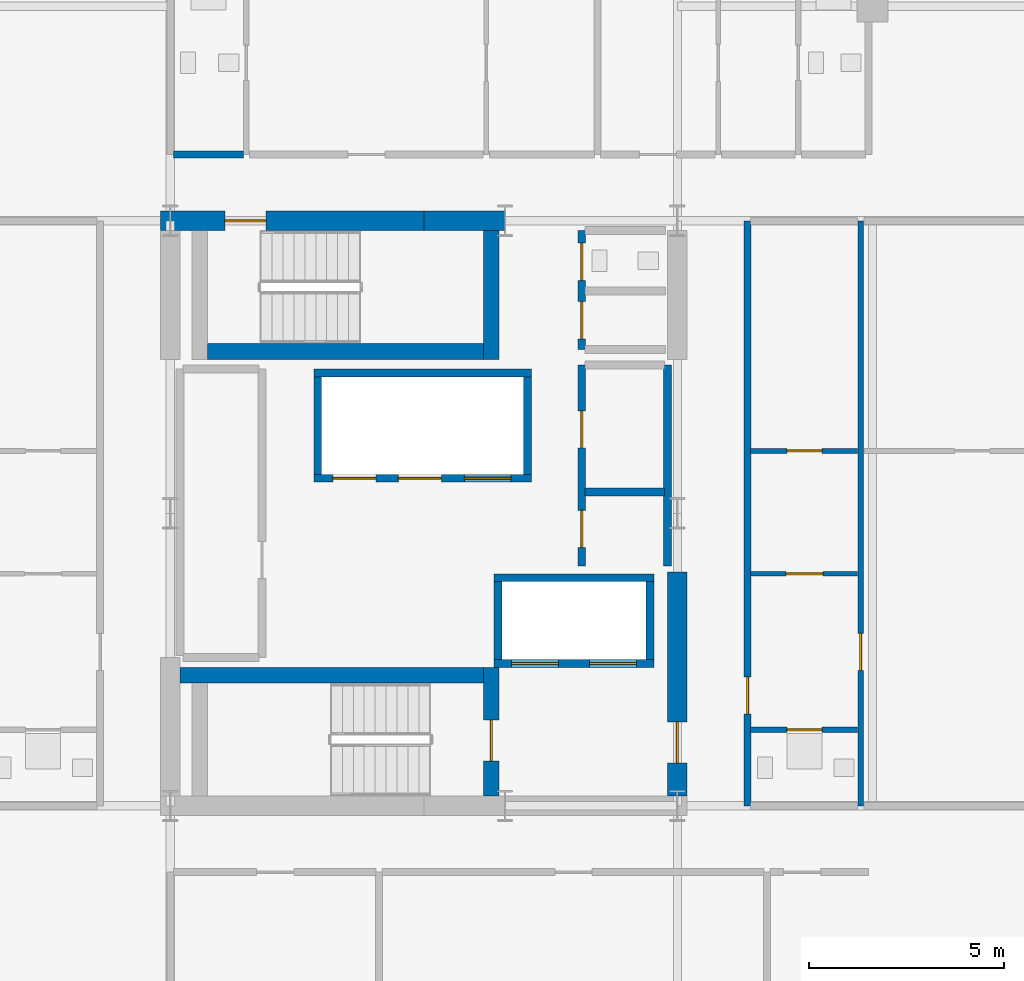
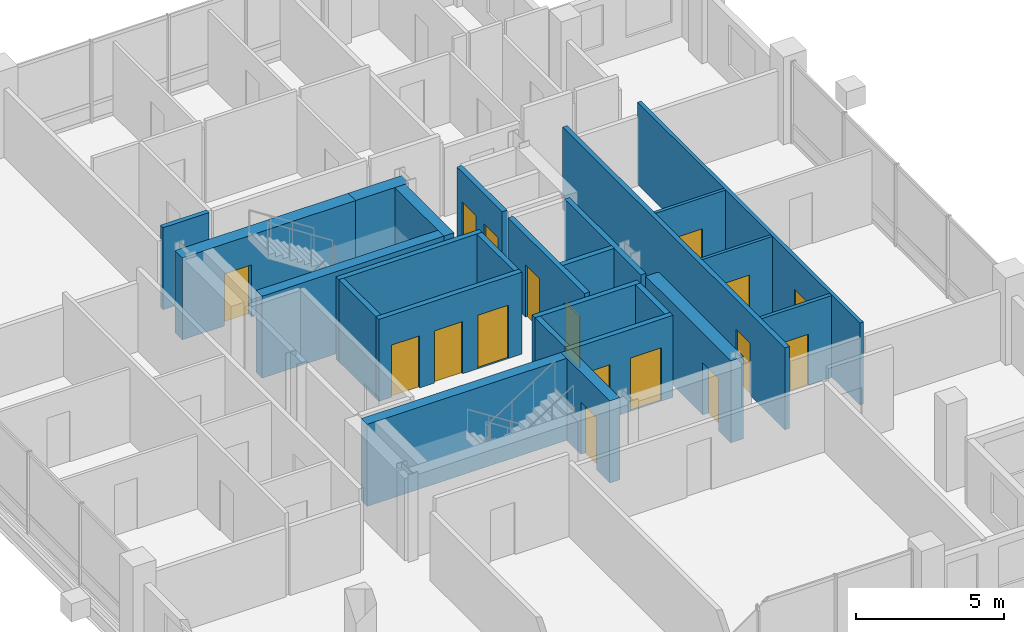
# One storey, part 17 of 21: 25 walls, 17 doors, 17 openings.
"""IFC4 building model written with IfcOpenShell, lengths in metres."""

from ifc_helpers import new_model, si_unit, direction, frame, frame_2d, origin, place, context, subcontext, project, spatial, rectangle, extrude, material, layer, layer_set, type_object, element, fill, save


model = new_model("IFC4")

# Units and contexts
model_context = context("Model", 3, precision=1e-05, world=origin(), true_north=direction((0.0, 1.0)))
body_context = subcontext(model_context, "Body", "Model", "MODEL_VIEW")
ifc_project = project(units=[si_unit("LENGTHUNIT", "METRE"), si_unit("AREAUNIT", "SQUARE_METRE"), si_unit("VOLUMEUNIT", "CUBIC_METRE"), si_unit("PLANEANGLEUNIT", "RADIAN"), si_unit("MASSUNIT", "GRAM", prefix="KILO")], contexts=[model_context])

# Site, building, storey
site_placement = place(None, origin())
site = spatial("IfcSite", under=ifc_project, at=site_placement, CompositionType="ELEMENT")
building_placement = place(site_placement, origin())
building = spatial("IfcBuilding", under=site, at=building_placement, Name="Barlavira Tower and Art Museum", CompositionType="ELEMENT")
storey_placement = place(building_placement, frame((0.0, 0.0, 254.699951171875)))
storey = spatial("IfcBuildingStorey", under=building, at=storey_placement, Name="L66", CompositionType="ELEMENT", Elevation=254.699951171875)

# Wall, opening, door
ifc_material_1 = material(Name="Gypsum acoustic stud partition", Category="gypsum")
ifc_layer_1 = layer(ifc_material_1, 0.1201171875, Name="Gypsum acoustic stud partition")
ifc_layer_set_1 = layer_set([ifc_layer_1], Name="Gypsum acoustic stud partition")
wall_type_1 = type_object("IfcWallType", Name="Apartment Internal Acoustic Partition 120", PredefinedType="PARTITIONING", material=ifc_layer_set_1)
wall_1_placement = place(storey_placement, frame((8.3798828125, -1.550048828125, 0.0), z_axis=(0.0, 0.0, 1.0), x_axis=(1.0, 0.0, 0.0)))
wall_1 = element("IfcWall", 1, at=wall_1_placement, inside=storey, type_object=wall_type_1, Name="L66 Partition Wall 34", PredefinedType="PARTITIONING", context=body_context, shape_type="SweptSolid", body=[
    extrude(rectangle(XDim=2.740234375, YDim=0.1201171875, at=frame_2d((1.3701171875, 0.0))), origin(), (0.0, 0.0, 1.0), 3.380126953125),
])
opening_1_placement = place(wall_1_placement, frame((0.905029296875, 0.0, 0.0)))
opening_1 = element("IfcOpeningElement", 2, at=opening_1_placement, cuts=wall_1, Name="Opening D-02", PredefinedType="OPENING", context=body_context, shape_type="SweptSolid", body=[
    extrude(rectangle(XDim=0.949951171875, YDim=2.10009765625, at=frame_2d((0.47509765625, 1.050048828125))), frame((0.0, 0.070068359375, 0.0), z_axis=(0.0, -1.0, 0.0), x_axis=(1.0, 0.0, 0.0)), (0.0, 0.0, 1.0), 0.14013671875),
])
ifc_material_2 = material(Name="Engineered coastal hardwood", Category="wood")
door_type_1 = type_object("IfcDoorType", Name="Living and Salon Glazed-Leaf Door 950x2100", OperationType="NOTDEFINED", PredefinedType="DOOR", material=ifc_material_2)
door_1_placement = place(opening_1_placement, origin())
door_1 = element("IfcDoor", 3, at=door_1_placement, inside=storey, type_object=door_type_1, Name="Apartment E1 Kitchen Door", OperationType="SINGLE_SWING_RIGHT", OverallHeight=2.10009765625, OverallWidth=0.949951171875, PredefinedType="DOOR", context=body_context, shape_type="SweptSolid", body=[
    extrude(rectangle(XDim=0.949951171875, YDim=2.10009765625, at=frame_2d((0.47509765625, 1.050048828125))), frame((0.0, 0.02490234375, 0.0), z_axis=(0.0, -1.0, 0.0), x_axis=(1.0, 0.0, 0.0)), (0.0, 0.0, 1.0), 0.050048828125),
])
fill(opening_1, door_1)

wall_2_placement = place(storey_placement, frame((8.3798828125, 1.60009765625, 0.0), z_axis=(0.0, 0.0, 1.0), x_axis=(1.0, 0.0, 0.0)))
wall_2 = element("IfcWall", 4, at=wall_2_placement, inside=storey, type_object=wall_type_1, Name="L66 Partition Wall 37", PredefinedType="PARTITIONING", context=body_context, shape_type="SweptSolid", body=[
    extrude(rectangle(XDim=2.740234375, YDim=0.1201171875, at=frame_2d((1.3701171875, 0.0))), origin(), (0.0, 0.0, 1.0), 3.380126953125),
])
opening_2_placement = place(wall_2_placement, frame((0.929931640625, 0.0, 0.0)))
opening_2 = element("IfcOpeningElement", 5, at=opening_2_placement, cuts=wall_2, Name="Opening D-01", PredefinedType="OPENING", context=body_context, shape_type="SweptSolid", body=[
    extrude(rectangle(XDim=0.89990234375, YDim=2.10009765625, at=frame_2d((0.449951171875, 1.050048828125))), frame((0.0, 0.070068359375, 0.0), z_axis=(0.0, -1.0, 0.0), x_axis=(1.0, 0.0, 0.0)), (0.0, 0.0, 1.0), 0.14013671875),
])
door_type_2 = type_object("IfcDoorType", Name="Internal Bedroom Timber Flush Door 900x2100", OperationType="NOTDEFINED", PredefinedType="DOOR", material=ifc_material_2)
door_2_placement = place(opening_2_placement, origin())
door_2 = element("IfcDoor", 6, at=door_2_placement, inside=storey, type_object=door_type_2, Name="Apartment E1 Walk-In Dressing Room Door", OperationType="SINGLE_SWING_LEFT", OverallHeight=2.10009765625, OverallWidth=0.89990234375, PredefinedType="DOOR", context=body_context, shape_type="SweptSolid", body=[
    extrude(rectangle(XDim=0.89990234375, YDim=2.10009765625, at=frame_2d((0.449951171875, 1.050048828125))), frame((0.0, 0.02490234375, 0.0), z_axis=(0.0, -1.0, 0.0), x_axis=(1.0, 0.0, 0.0)), (0.0, 0.0, 1.0), 0.050048828125),
])
fill(opening_2, door_2)

ifc_material_3 = material(Name="Concrete C60", Category="concrete")
ifc_layer_2 = layer(ifc_material_3, 0.5, Name="Concrete C60")
ifc_layer_set_2 = layer_set([ifc_layer_2], Name="Concrete C60")
wall_type_2 = type_object("IfcWallType", Name="Core Structural Shear Wall 500 Concrete C60", PredefinedType="SHEAR", material=ifc_layer_set_2)
wall_3_placement = place(storey_placement, frame((-6.75, 7.5, 0.0), z_axis=(0.0, 0.0, 1.0), x_axis=(1.0, 0.0, 0.0)))
wall_3 = element("IfcWall", 7, at=wall_3_placement, inside=storey, type_object=wall_type_2, Name="L66 Core Shear Wall CS-NW", PredefinedType="SHEAR", context=body_context, shape_type="SweptSolid", body=[
    extrude(rectangle(XDim=6.75, YDim=0.5, at=frame_2d((3.375, 0.0))), origin(), (0.0, 0.0, 1.0), 3.380126953125),
])
opening_3_placement = place(wall_3_placement, frame((1.64990234375, 0.0, 0.0)))
opening_3 = element("IfcOpeningElement", 8, at=opening_3_placement, cuts=wall_3, Name="Opening FD-90", PredefinedType="OPENING", context=body_context, shape_type="SweptSolid", body=[
    extrude(rectangle(XDim=1.050048828125, YDim=2.14990234375, at=frame_2d((0.52490234375, 1.074951171875))), frame((0.0, 0.260009765625, 0.0), z_axis=(0.0, -1.0, 0.0), x_axis=(1.0, 0.0, 0.0)), (0.0, 0.0, 1.0), 0.52001953125),
])
ifc_material_4 = material(Name="Brushed stainless steel", Category="steel")
door_type_3 = type_object("IfcDoorType", Name="Stair and Refuge Fire Door 1050x2150 FD90S", OperationType="NOTDEFINED", PredefinedType="DOOR", material=ifc_material_4)
door_3_placement = place(opening_3_placement, origin())
door_3 = element("IfcDoor", 9, at=door_3_placement, inside=storey, type_object=door_type_3, Name="L66 Stair ST-T2 Fire Door", OperationType="SINGLE_SWING_LEFT", OverallHeight=2.14990234375, OverallWidth=1.050048828125, PredefinedType="DOOR", context=body_context, shape_type="SweptSolid", body=[
    extrude(rectangle(XDim=1.050048828125, YDim=2.14990234375, at=frame_2d((0.52490234375, 1.074951171875))), frame((0.0, 0.02490234375, 0.0), z_axis=(0.0, -1.0, 0.0), x_axis=(1.0, 0.0, 0.0)), (0.0, 0.0, 1.0), 0.050048828125),
])
fill(opening_3, door_3)

# Wall
wall_4_placement = place(storey_placement, frame((0.0, 7.5, 0.0), z_axis=(0.0, 0.0, 1.0), x_axis=(1.0, 0.0, 0.0)))
element("IfcWall", 10, at=wall_4_placement, inside=storey, type_object=wall_type_2, Name="L66 Core Shear Wall CS-EN", PredefinedType="SHEAR", context=body_context, shape_type="SweptSolid", body=[
    extrude(rectangle(XDim=2.080078125, YDim=0.5, at=frame_2d((1.0400390625, 0.0))), origin(), (0.0, 0.0, 1.0), 3.380126953125),
])

# Wall, opening, door
wall_5_placement = place(storey_placement, frame((6.5, -7.25, 0.0), z_axis=(0.0, 0.0, 1.0), x_axis=(0.0, 1.0, 0.0)))
wall_5 = element("IfcWall", 11, at=wall_5_placement, inside=storey, type_object=wall_type_2, Name="L66 Core Shear Wall CS-E1", PredefinedType="SHEAR", context=body_context, shape_type="SweptSolid", body=[
    extrude(rectangle(XDim=5.75, YDim=0.5, at=frame_2d((2.875, 0.0))), origin(), (0.0, 0.0, 1.0), 3.380126953125),
])
opening_4_placement = place(wall_5_placement, frame((0.85009765625, 0.0, 0.0)))
opening_4 = element("IfcOpeningElement", 12, at=opening_4_placement, cuts=wall_5, Name="Opening FD-90", PredefinedType="OPENING", context=body_context, shape_type="SweptSolid", body=[
    extrude(rectangle(XDim=1.050048828125, YDim=2.14990234375, at=frame_2d((0.52490234375, 1.074951171875))), frame((0.0, 0.260009765625, 0.0), z_axis=(0.0, -1.0, 0.0), x_axis=(1.0, 0.0, 0.0)), (0.0, 0.0, 1.0), 0.52001953125),
])
door_4_placement = place(opening_4_placement, origin())
door_4 = element("IfcDoor", 13, at=door_4_placement, inside=storey, type_object=door_type_3, Name="L66 Firefighting Lobby Entry Fire Door", OperationType="SINGLE_SWING_LEFT", OverallHeight=2.14990234375, OverallWidth=1.050048828125, PredefinedType="DOOR", context=body_context, shape_type="SweptSolid", body=[
    extrude(rectangle(XDim=1.050048828125, YDim=2.14990234375, at=frame_2d((0.52490234375, 1.074951171875))), frame((0.0, 0.02490234375, 0.0), z_axis=(0.0, -1.0, 0.0), x_axis=(1.0, 0.0, 0.0)), (0.0, 0.0, 1.0), 0.050048828125),
])
fill(opening_4, door_4)

# Wall, openings, doors
ifc_material_5 = material(Name="Autoclaved aerated concrete masonry", Category="masonry")
ifc_layer_3 = layer(ifc_material_5, 0.199951171875, Name="Autoclaved aerated concrete masonry")
ifc_layer_set_3 = layer_set([ifc_layer_3], Name="Autoclaved aerated concrete masonry")
wall_type_3 = type_object("IfcWallType", Name="Fire Compartment and Shaft Wall 200", PredefinedType="SOLIDWALL", material=ifc_layer_set_3)
wall_6_placement = place(storey_placement, frame((-2.820068359375, 0.89990234375, 0.0), z_axis=(0.0, 0.0, 1.0), x_axis=(1.0, 0.0, 0.0)))
wall_6 = element("IfcWall", 14, at=wall_6_placement, inside=storey, type_object=wall_type_3, Name="L66 High-Rise & Service Lift Front Wall", PredefinedType="SOLIDWALL", context=body_context, shape_type="SweptSolid", body=[
    extrude(rectangle(XDim=5.580078125, YDim=0.199951171875, at=frame_2d((2.7900390625, 0.0))), origin(), (0.0, 0.0, 1.0), 3.380126953125),
])
opening_5_placement = place(wall_6_placement, frame((0.489990234375, 0.0, 0.0)))
opening_5 = element("IfcOpeningElement", 15, at=opening_5_placement, cuts=wall_6, Name="Opening LD-P", PredefinedType="OPENING", context=body_context, shape_type="SweptSolid", body=[
    extrude(rectangle(XDim=1.10009765625, YDim=2.14990234375, at=frame_2d((0.550048828125, 1.074951171875))), frame((0.0, 0.10986328125, 0.0), z_axis=(0.0, -1.0, 0.0), x_axis=(1.0, 0.0, 0.0)), (0.0, 0.0, 1.0), 0.219970703125),
])
opening_6_placement = place(wall_6_placement, frame((2.169921875, 0.0, 0.0)))
opening_6 = element("IfcOpeningElement", 16, at=opening_6_placement, cuts=wall_6, Name="Opening LD-P", PredefinedType="OPENING", context=body_context, shape_type="SweptSolid", body=[
    extrude(rectangle(XDim=1.10009765625, YDim=2.14990234375, at=frame_2d((0.550048828125, 1.074951171875))), frame((0.0, 0.10986328125, 0.0), z_axis=(0.0, -1.0, 0.0), x_axis=(1.0, 0.0, 0.0)), (0.0, 0.0, 1.0), 0.219970703125),
])
opening_7_placement = place(wall_6_placement, frame((3.860107421875, 0.0, 0.0)))
opening_7 = element("IfcOpeningElement", 17, at=opening_7_placement, cuts=wall_6, Name="Opening LD-F", PredefinedType="OPENING", context=body_context, shape_type="SweptSolid", body=[
    extrude(rectangle(XDim=1.199951171875, YDim=2.199951171875, at=frame_2d((0.60009765625, 1.10009765625))), frame((0.0, 0.10986328125, 0.0), z_axis=(0.0, -1.0, 0.0), x_axis=(1.0, 0.0, 0.0)), (0.0, 0.0, 1.0), 0.219970703125),
])
door_type_4 = type_object("IfcDoorType", Name="Firefighting and Service Lift Sliding Door 1200x2200 FD120", OperationType="NOTDEFINED", PredefinedType="DOOR", material=ifc_material_4)
door_5_placement = place(opening_7_placement, origin())
door_5 = element("IfcDoor", 18, at=door_5_placement, inside=storey, type_object=door_type_4, Name="L66 Stretcher Service Lift SL1 Sliding Door", OperationType="DOUBLE_DOOR_SLIDING", OverallHeight=2.199951171875, OverallWidth=1.199951171875, PredefinedType="DOOR", context=body_context, shape_type="SweptSolid", body=[
    extrude(rectangle(XDim=1.199951171875, YDim=2.199951171875, at=frame_2d((0.60009765625, 1.10009765625))), frame((0.0, 0.02490234375, 0.0), z_axis=(0.0, -1.0, 0.0), x_axis=(1.0, 0.0, 0.0)), (0.0, 0.0, 1.0), 0.050048828125),
])
fill(opening_7, door_5)
door_type_5 = type_object("IfcDoorType", Name="Passenger Lift Sliding Landing Door 1100x2150 FD60", OperationType="NOTDEFINED", PredefinedType="DOOR", material=ifc_material_4)
door_6_placement = place(opening_5_placement, origin())
door_6 = element("IfcDoor", 19, at=door_6_placement, inside=storey, type_object=door_type_5, Name="L66 Lift PH1 Sliding Landing Door", OperationType="DOUBLE_DOOR_SLIDING", OverallHeight=2.14990234375, OverallWidth=1.10009765625, PredefinedType="DOOR", context=body_context, shape_type="SweptSolid", body=[
    extrude(rectangle(XDim=1.10009765625, YDim=2.14990234375, at=frame_2d((0.550048828125, 1.074951171875))), frame((0.0, 0.02490234375, 0.0), z_axis=(0.0, -1.0, 0.0), x_axis=(1.0, 0.0, 0.0)), (0.0, 0.0, 1.0), 0.050048828125),
])
fill(opening_5, door_6)
door_7_placement = place(opening_6_placement, origin())
door_7 = element("IfcDoor", 20, at=door_7_placement, inside=storey, type_object=door_type_5, Name="L66 Lift PH2 Sliding Landing Door", OperationType="DOUBLE_DOOR_SLIDING", OverallHeight=2.14990234375, OverallWidth=1.10009765625, PredefinedType="DOOR", context=body_context, shape_type="SweptSolid", body=[
    extrude(rectangle(XDim=1.10009765625, YDim=2.14990234375, at=frame_2d((0.550048828125, 1.074951171875))), frame((0.0, 0.02490234375, 0.0), z_axis=(0.0, -1.0, 0.0), x_axis=(1.0, 0.0, 0.0)), (0.0, 0.0, 1.0), 0.050048828125),
])
fill(opening_6, door_7)

# Walls
wall_7_placement = place(storey_placement, frame((-2.820068359375, 3.60009765625, 0.0), z_axis=(0.0, 0.0, 1.0), x_axis=(1.0, 0.0, 0.0)))
element("IfcWall", 21, at=wall_7_placement, inside=storey, type_object=wall_type_3, Name="L66 High-Rise & Service Lift Back Wall", PredefinedType="SOLIDWALL", context=body_context, shape_type="SweptSolid", body=[
    extrude(rectangle(XDim=5.580078125, YDim=0.199951171875, at=frame_2d((2.7900390625, 0.0))), origin(), (0.0, 0.0, 1.0), 3.380126953125),
])
for number, where, z_axis, x_axis, name in (
    (22, (-2.719970703125, 1.0, 0.0), (0.0, 0.0, 1.0), (0.0, 1.0, 0.0), "L66 High-Rise & Service Lift West Wall"),
    (23, (2.659912109375, 1.0, 0.0), (0.0, 0.0, 1.0), (0.0, 1.0, 0.0), "L66 High-Rise & Service Lift East Wall"),
):
    element("IfcWall", number, at=place(storey_placement, frame(where, z_axis=z_axis, x_axis=x_axis)), inside=storey, type_object=wall_type_3, Name=name, PredefinedType="SOLIDWALL", context=body_context, shape_type="SweptSolid", body=[
        extrude(rectangle(XDim=2.5, YDim=0.199951171875, at=frame_2d((1.25, 0.0))), origin(), (0.0, 0.0, 1.0), 3.380126953125),
    ])

# Wall, openings, doors
wall_8_placement = place(storey_placement, frame((1.800048828125, -3.85009765625, 0.0), z_axis=(0.0, 0.0, 1.0), x_axis=(1.0, 0.0, 0.0)))
wall_8 = element("IfcWall", 24, at=wall_8_placement, inside=storey, type_object=wall_type_3, Name="L66 Firefighting Lift Front Shaft Wall", PredefinedType="SOLIDWALL", context=body_context, shape_type="SweptSolid", body=[
    extrude(rectangle(XDim=4.099853515625, YDim=0.199951171875, at=frame_2d((2.0498046875, 0.0))), origin(), (0.0, 0.0, 1.0), 3.380126953125),
])
opening_8_placement = place(wall_8_placement, frame((0.449951171875, 0.0, 0.0)))
opening_8 = element("IfcOpeningElement", 25, at=opening_8_placement, cuts=wall_8, Name="Opening LD-F", PredefinedType="OPENING", context=body_context, shape_type="SweptSolid", body=[
    extrude(rectangle(XDim=1.199951171875, YDim=2.199951171875, at=frame_2d((0.60009765625, 1.10009765625))), frame((0.0, 0.10986328125, 0.0), z_axis=(0.0, -1.0, 0.0), x_axis=(1.0, 0.0, 0.0)), (0.0, 0.0, 1.0), 0.219970703125),
])
opening_9_placement = place(wall_8_placement, frame((2.449951171875, 0.0, 0.0)))
opening_9 = element("IfcOpeningElement", 26, at=opening_9_placement, cuts=wall_8, Name="Opening LD-F", PredefinedType="OPENING", context=body_context, shape_type="SweptSolid", body=[
    extrude(rectangle(XDim=1.199951171875, YDim=2.199951171875, at=frame_2d((0.60009765625, 1.10009765625))), frame((0.0, 0.10986328125, 0.0), z_axis=(0.0, -1.0, 0.0), x_axis=(1.0, 0.0, 0.0)), (0.0, 0.0, 1.0), 0.219970703125),
])
door_8_placement = place(opening_8_placement, origin())
door_8 = element("IfcDoor", 27, at=door_8_placement, inside=storey, type_object=door_type_4, Name="L66 Firefighting Lift FF1 Sliding Door", OperationType="DOUBLE_DOOR_SLIDING", OverallHeight=2.199951171875, OverallWidth=1.199951171875, PredefinedType="DOOR", context=body_context, shape_type="SweptSolid", body=[
    extrude(rectangle(XDim=1.199951171875, YDim=2.199951171875, at=frame_2d((0.60009765625, 1.10009765625))), frame((0.0, 0.02490234375, 0.0), z_axis=(0.0, -1.0, 0.0), x_axis=(1.0, 0.0, 0.0)), (0.0, 0.0, 1.0), 0.050048828125),
])
fill(opening_8, door_8)
door_9_placement = place(opening_9_placement, origin())
door_9 = element("IfcDoor", 28, at=door_9_placement, inside=storey, type_object=door_type_4, Name="L66 Firefighting Lift FF2 Sliding Door", OperationType="DOUBLE_DOOR_SLIDING", OverallHeight=2.199951171875, OverallWidth=1.199951171875, PredefinedType="DOOR", context=body_context, shape_type="SweptSolid", body=[
    extrude(rectangle(XDim=1.199951171875, YDim=2.199951171875, at=frame_2d((0.60009765625, 1.10009765625))), frame((0.0, 0.02490234375, 0.0), z_axis=(0.0, -1.0, 0.0), x_axis=(1.0, 0.0, 0.0)), (0.0, 0.0, 1.0), 0.050048828125),
])
fill(opening_9, door_9)

# Walls
wall_9_placement = place(storey_placement, frame((1.800048828125, -1.64990234375, 0.0), z_axis=(0.0, 0.0, 1.0), x_axis=(1.0, 0.0, 0.0)))
element("IfcWall", 29, at=wall_9_placement, inside=storey, type_object=wall_type_3, Name="L66 Firefighting Lift Back Shaft Wall", PredefinedType="SOLIDWALL", context=body_context, shape_type="SweptSolid", body=[
    extrude(rectangle(XDim=4.099853515625, YDim=0.199951171875, at=frame_2d((2.0498046875, 0.0))), origin(), (0.0, 0.0, 1.0), 3.380126953125),
])
for number, where, z_axis, x_axis, name in (
    (30, (1.89990234375, -3.75, 0.0), (0.0, 0.0, 1.0), (0.0, 1.0, 0.0), "L66 Firefighting Lift West Shaft Wall"),
    (31, (5.800048828125, -3.75, 0.0), (0.0, 0.0, 1.0), (0.0, 1.0, 0.0), "L66 Firefighting Lift East Shaft Wall"),
):
    element("IfcWall", number, at=place(storey_placement, frame(where, z_axis=z_axis, x_axis=x_axis)), inside=storey, type_object=wall_type_3, Name=name, PredefinedType="SOLIDWALL", context=body_context, shape_type="SweptSolid", body=[
        extrude(rectangle(XDim=2.0, YDim=0.199951171875, at=frame_2d((1.0, 0.0))), origin(), (0.0, 0.0, 1.0), 3.380126953125),
    ])

# Wall, openings, doors
wall_10_placement = place(storey_placement, frame((4.050048828125, -1.35009765625, 0.0), z_axis=(0.0, 0.0, 1.0), x_axis=(0.0, 1.0, 0.0)))
wall_10 = element("IfcWall", 32, at=wall_10_placement, inside=storey, type_object=wall_type_3, Name="L66 Partition Wall 11", PredefinedType="SOLIDWALL", context=body_context, shape_type="SweptSolid", body=[
    extrude(rectangle(XDim=5.150146484375, YDim=0.199951171875, at=frame_2d((2.5751953125, 0.0))), origin(), (0.0, 0.0, 1.0), 3.380126953125),
])
opening_10_placement = place(wall_10_placement, frame((0.47509765625, 0.0, 0.0)))
opening_10 = element("IfcOpeningElement", 33, at=opening_10_placement, cuts=wall_10, Name="Opening FD-60", PredefinedType="OPENING", context=body_context, shape_type="SweptSolid", body=[
    extrude(rectangle(XDim=0.949951171875, YDim=2.14990234375, at=frame_2d((0.47509765625, 1.074951171875))), frame((0.0, 0.10986328125, 0.0), z_axis=(0.0, -1.0, 0.0), x_axis=(1.0, 0.0, 0.0)), (0.0, 0.0, 1.0), 0.219970703125),
])
opening_11_placement = place(wall_10_placement, frame((3.02490234375, 0.0, 0.0)))
opening_11 = element("IfcOpeningElement", 34, at=opening_11_placement, cuts=wall_10, Name="Opening FD-60", PredefinedType="OPENING", context=body_context, shape_type="SweptSolid", body=[
    extrude(rectangle(XDim=0.949951171875, YDim=2.14990234375, at=frame_2d((0.47509765625, 1.074951171875))), frame((0.0, 0.10986328125, 0.0), z_axis=(0.0, -1.0, 0.0), x_axis=(1.0, 0.0, 0.0)), (0.0, 0.0, 1.0), 0.219970703125),
])
door_type_6 = type_object("IfcDoorType", Name="Apartment Entrance and Riser Fire Door 950x2150 FD60S", OperationType="NOTDEFINED", PredefinedType="DOOR", material=ifc_material_4)
door_10_placement = place(opening_10_placement, origin())
door_10 = element("IfcDoor", 35, at=door_10_placement, inside=storey, type_object=door_type_6, Name="Reclaimed Upper Core Wine Cellar Door", OperationType="SINGLE_SWING_LEFT", OverallHeight=2.14990234375, OverallWidth=0.949951171875, PredefinedType="DOOR", context=body_context, shape_type="SweptSolid", body=[
    extrude(rectangle(XDim=0.949951171875, YDim=2.14990234375, at=frame_2d((0.47509765625, 1.074951171875))), frame((0.0, 0.02490234375, 0.0), z_axis=(0.0, -1.0, 0.0), x_axis=(1.0, 0.0, 0.0)), (0.0, 0.0, 1.0), 0.050048828125),
])
fill(opening_10, door_10)
door_11_placement = place(opening_11_placement, origin())
door_11 = element("IfcDoor", 36, at=door_11_placement, inside=storey, type_object=door_type_6, Name="Reclaimed Upper Core Linen Store Door", OperationType="SINGLE_SWING_RIGHT", OverallHeight=2.14990234375, OverallWidth=0.949951171875, PredefinedType="DOOR", context=body_context, shape_type="SweptSolid", body=[
    extrude(rectangle(XDim=0.949951171875, YDim=2.14990234375, at=frame_2d((0.47509765625, 1.074951171875))), frame((0.0, 0.02490234375, 0.0), z_axis=(0.0, -1.0, 0.0), x_axis=(1.0, 0.0, 0.0)), (0.0, 0.0, 1.0), 0.050048828125),
])
fill(opening_11, door_11)

wall_11_placement = place(storey_placement, frame((4.050048828125, 4.199951171875, 0.0), z_axis=(0.0, 0.0, 1.0), x_axis=(0.0, 1.0, 0.0)))
wall_11 = element("IfcWall", 37, at=wall_11_placement, inside=storey, type_object=wall_type_3, Name="L66 Partition Wall 12", PredefinedType="SOLIDWALL", context=body_context, shape_type="SweptSolid", body=[
    extrude(rectangle(XDim=3.050048828125, YDim=0.199951171875, at=frame_2d((1.52490234375, 0.0))), origin(), (0.0, 0.0, 1.0), 3.380126953125),
])
opening_12_placement = place(wall_11_placement, frame((0.27490234375, 0.0, 0.0)))
opening_12 = element("IfcOpeningElement", 38, at=opening_12_placement, cuts=wall_11, Name="Opening FD-60", PredefinedType="OPENING", context=body_context, shape_type="SweptSolid", body=[
    extrude(rectangle(XDim=0.949951171875, YDim=2.14990234375, at=frame_2d((0.47509765625, 1.074951171875))), frame((0.0, 0.10986328125, 0.0), z_axis=(0.0, -1.0, 0.0), x_axis=(1.0, 0.0, 0.0)), (0.0, 0.0, 1.0), 0.219970703125),
])
opening_13_placement = place(wall_11_placement, frame((1.77490234375, 0.0, 0.0)))
opening_13 = element("IfcOpeningElement", 39, at=opening_13_placement, cuts=wall_11, Name="Opening FD-60", PredefinedType="OPENING", context=body_context, shape_type="SweptSolid", body=[
    extrude(rectangle(XDim=0.949951171875, YDim=2.14990234375, at=frame_2d((0.47509765625, 1.074951171875))), frame((0.0, 0.10986328125, 0.0), z_axis=(0.0, -1.0, 0.0), x_axis=(1.0, 0.0, 0.0)), (0.0, 0.0, 1.0), 0.219970703125),
])
door_12_placement = place(opening_12_placement, origin())
door_12 = element("IfcDoor", 40, at=door_12_placement, inside=storey, type_object=door_type_6, Name="Electrical Switchgear Room Door", OperationType="SINGLE_SWING_LEFT", OverallHeight=2.14990234375, OverallWidth=0.949951171875, PredefinedType="DOOR", context=body_context, shape_type="SweptSolid", body=[
    extrude(rectangle(XDim=0.949951171875, YDim=2.14990234375, at=frame_2d((0.47509765625, 1.074951171875))), frame((0.0, 0.02490234375, 0.0), z_axis=(0.0, -1.0, 0.0), x_axis=(1.0, 0.0, 0.0)), (0.0, 0.0, 1.0), 0.050048828125),
])
fill(opening_12, door_12)
door_13_placement = place(opening_13_placement, origin())
door_13 = element("IfcDoor", 41, at=door_13_placement, inside=storey, type_object=door_type_6, Name="Core Staff Toilet Door", OperationType="SINGLE_SWING_RIGHT", OverallHeight=2.14990234375, OverallWidth=0.949951171875, PredefinedType="DOOR", context=body_context, shape_type="SweptSolid", body=[
    extrude(rectangle(XDim=0.949951171875, YDim=2.14990234375, at=frame_2d((0.47509765625, 1.074951171875))), frame((0.0, 0.02490234375, 0.0), z_axis=(0.0, -1.0, 0.0), x_axis=(1.0, 0.0, 0.0)), (0.0, 0.0, 1.0), 0.050048828125),
])
fill(opening_13, door_13)

# Walls
wall_12_placement = place(storey_placement, frame((6.25, -1.35009765625, 0.0), z_axis=(0.0, 0.0, 1.0), x_axis=(0.0, 1.0, 0.0)))
element("IfcWall", 42, at=wall_12_placement, inside=storey, type_object=wall_type_3, Name="L66 Partition Wall 14", PredefinedType="SOLIDWALL", context=body_context, shape_type="SweptSolid", body=[
    extrude(rectangle(XDim=5.150146484375, YDim=0.199951171875, at=frame_2d((2.5751953125, 0.0))), origin(), (0.0, 0.0, 1.0), 3.380126953125),
])
wall_13_placement = place(storey_placement, frame((4.1298828125, 0.550048828125, 0.0), z_axis=(0.0, 0.0, 1.0), x_axis=(1.0, 0.0, 0.0)))
element("IfcWall", 43, at=wall_13_placement, inside=storey, type_object=wall_type_3, Name="L66 Partition Wall 35", PredefinedType="SOLIDWALL", context=body_context, shape_type="SweptSolid", body=[
    extrude(rectangle(XDim=2.0400390625, YDim=0.199951171875, at=frame_2d((1.02001953125, 0.0))), origin(), (0.0, 0.0, 1.0), 3.380126953125),
])

# Wall, opening, door
ifc_layer_4 = layer(ifc_material_1, 0.179931640625, Name="Gypsum acoustic stud partition")
ifc_layer_set_4 = layer_set([ifc_layer_4], Name="Gypsum acoustic stud partition")
wall_type_4 = type_object("IfcWallType", Name="Inter-Tenancy Party Partition Wall 180", PredefinedType="PARTITIONING", material=ifc_layer_set_4)
wall_14_placement = place(storey_placement, frame((8.300048828125, -7.5, 0.0), z_axis=(0.0, 0.0, 1.0), x_axis=(0.0, 1.0, 0.0)))
wall_14 = element("IfcWall", 44, at=wall_14_placement, inside=storey, type_object=wall_type_4, Name="L66 Partition Wall 17", PredefinedType="PARTITIONING", context=body_context, shape_type="SweptSolid", body=[
    extrude(rectangle(XDim=15.0, YDim=0.179931640625, at=frame_2d((7.5, 0.0))), origin(), (0.0, 0.0, 1.0), 3.380126953125),
])
opening_14_placement = place(wall_14_placement, frame((2.35498046875, 0.0, 0.0)))
opening_14 = element("IfcOpeningElement", 45, at=opening_14_placement, cuts=wall_14, Name="Opening FD-60", PredefinedType="OPENING", context=body_context, shape_type="SweptSolid", body=[
    extrude(rectangle(XDim=0.949951171875, YDim=2.14990234375, at=frame_2d((0.47509765625, 1.074951171875))), frame((0.0, 0.10009765625, 0.0), z_axis=(0.0, -1.0, 0.0), x_axis=(1.0, 0.0, 0.0)), (0.0, 0.0, 1.0), 0.199951171875),
])
door_14_placement = place(opening_14_placement, origin())
door_14 = element("IfcDoor", 46, at=door_14_placement, inside=storey, type_object=door_type_6, Name="Apartment Entrance Hall E1 Door", OperationType="SINGLE_SWING_LEFT", OverallHeight=2.14990234375, OverallWidth=0.949951171875, PredefinedType="DOOR", context=body_context, shape_type="SweptSolid", body=[
    extrude(rectangle(XDim=0.949951171875, YDim=2.14990234375, at=frame_2d((0.47509765625, 1.074951171875))), frame((0.0, 0.02490234375, 0.0), z_axis=(0.0, -1.0, 0.0), x_axis=(1.0, 0.0, 0.0)), (0.0, 0.0, 1.0), 0.050048828125),
])
fill(opening_14, door_14)

# Wall
wall_15_placement = place(storey_placement, frame((-6.419921875, 9.199951171875, 0.0), z_axis=(0.0, 0.0, 1.0), x_axis=(1.0, 0.0, 0.0)))
element("IfcWall", 47, at=wall_15_placement, inside=storey, type_object=wall_type_4, Name="L66 Partition Wall 49", PredefinedType="PARTITIONING", context=body_context, shape_type="SweptSolid", body=[
    extrude(rectangle(XDim=1.7900390625, YDim=0.179931640625, at=frame_2d((0.89501953125, 0.0))), origin(), (0.0, 0.0, 1.0), 3.380126953125),
])

# Wall, opening, door
ifc_layer_5 = layer(ifc_material_1, 0.139892578125, Name="Gypsum acoustic stud partition")
ifc_layer_set_5 = layer_set([ifc_layer_5], Name="Gypsum acoustic stud partition")
wall_type_5 = type_object("IfcWallType", Name="Moisture-Resistant Bathroom Partition 140", PredefinedType="PARTITIONING", material=ifc_layer_set_5)
wall_16_placement = place(storey_placement, frame((11.199951171875, -7.5, 0.0), z_axis=(0.0, 0.0, 1.0), x_axis=(0.0, 1.0, 0.0)))
wall_16 = element("IfcWall", 48, at=wall_16_placement, inside=storey, type_object=wall_type_5, Name="L66 Partition Wall 20", PredefinedType="PARTITIONING", context=body_context, shape_type="SweptSolid", body=[
    extrude(rectangle(XDim=15.0, YDim=0.139892578125, at=frame_2d((7.5, 0.0))), origin(), (0.0, 0.0, 1.0), 3.380126953125),
])
opening_15_placement = place(wall_16_placement, frame((3.47509765625, 0.0, 0.0)))
opening_15 = element("IfcOpeningElement", 49, at=opening_15_placement, cuts=wall_16, Name="Opening D-02", PredefinedType="OPENING", context=body_context, shape_type="SweptSolid", body=[
    extrude(rectangle(XDim=0.949951171875, YDim=2.10009765625, at=frame_2d((0.47509765625, 1.050048828125))), frame((0.0, 0.080078125, 0.0), z_axis=(0.0, -1.0, 0.0), x_axis=(1.0, 0.0, 0.0)), (0.0, 0.0, 1.0), 0.159912109375),
])
door_15_placement = place(opening_15_placement, origin())
door_15 = element("IfcDoor", 50, at=door_15_placement, inside=storey, type_object=door_type_1, Name="Apartment E1 Living Lounge Door", OperationType="SINGLE_SWING_RIGHT", OverallHeight=2.10009765625, OverallWidth=0.949951171875, PredefinedType="DOOR", context=body_context, shape_type="SweptSolid", body=[
    extrude(rectangle(XDim=0.949951171875, YDim=2.10009765625, at=frame_2d((0.47509765625, 1.050048828125))), frame((0.0, 0.02490234375, 0.0), z_axis=(0.0, -1.0, 0.0), x_axis=(1.0, 0.0, 0.0)), (0.0, 0.0, 1.0), 0.050048828125),
])
fill(opening_15, door_15)

wall_17_placement = place(storey_placement, frame((8.3798828125, -5.550048828125, 0.0), z_axis=(0.0, 0.0, 1.0), x_axis=(1.0, 0.0, 0.0)))
wall_17 = element("IfcWall", 51, at=wall_17_placement, inside=storey, type_object=wall_type_5, Name="L66 Partition Wall 30", PredefinedType="PARTITIONING", context=body_context, shape_type="SweptSolid", body=[
    extrude(rectangle(XDim=2.740234375, YDim=0.139892578125, at=frame_2d((1.3701171875, 0.0))), origin(), (0.0, 0.0, 1.0), 3.380126953125),
])
opening_16_placement = place(wall_17_placement, frame((0.929931640625, 0.0, 0.0)))
opening_16 = element("IfcOpeningElement", 52, at=opening_16_placement, cuts=wall_17, Name="Opening D-WC", PredefinedType="OPENING", context=body_context, shape_type="SweptSolid", body=[
    extrude(rectangle(XDim=0.89990234375, YDim=2.10009765625, at=frame_2d((0.449951171875, 1.050048828125))), frame((0.0, 0.080078125, 0.0), z_axis=(0.0, -1.0, 0.0), x_axis=(1.0, 0.0, 0.0)), (0.0, 0.0, 1.0), 0.159912109375),
])
door_type_7 = type_object("IfcDoorType", Name="Accessible Bathroom Flush Door 900x2100", OperationType="NOTDEFINED", PredefinedType="DOOR", material=ifc_material_2)
door_16_placement = place(opening_16_placement, origin())
door_16 = element("IfcDoor", 53, at=door_16_placement, inside=storey, type_object=door_type_7, Name="Apartment E1 Hall Bathroom Door", OperationType="SINGLE_SWING_RIGHT", OverallHeight=2.10009765625, OverallWidth=0.89990234375, PredefinedType="DOOR", context=body_context, shape_type="SweptSolid", body=[
    extrude(rectangle(XDim=0.89990234375, YDim=2.10009765625, at=frame_2d((0.449951171875, 1.050048828125))), frame((0.0, 0.02490234375, 0.0), z_axis=(0.0, -1.0, 0.0), x_axis=(1.0, 0.0, 0.0)), (0.0, 0.0, 1.0), 0.050048828125),
])
fill(opening_16, door_16)

# Wall
ifc_material_6 = material(Name="Concrete C55", Category="concrete")
ifc_layer_6 = layer(ifc_material_6, 0.39990234375, Name="Concrete C55")
ifc_layer_set_6 = layer_set([ifc_layer_6], Name="Concrete C55")
wall_type_6 = type_object("IfcWallType", Name="Upper Core Shear Wall 400 Concrete C55", PredefinedType="SHEAR", material=ifc_layer_set_6)
wall_18_placement = place(storey_placement, frame((-6.25, -4.14990234375, 0.0), z_axis=(0.0, 0.0, 1.0), x_axis=(1.0, 0.0, 0.0)))
element("IfcWall", 54, at=wall_18_placement, inside=storey, type_object=wall_type_6, Name="L66 ST-T1 North Shaft Wall", PredefinedType="SHEAR", context=body_context, shape_type="SweptSolid", body=[
    extrude(rectangle(XDim=7.780029296875, YDim=0.39990234375, at=frame_2d((3.89013671875, 0.0))), origin(), (0.0, 0.0, 1.0), 3.380126953125),
])

# Wall, opening, door
wall_19_placement = place(storey_placement, frame((1.72998046875, -7.25, 0.0), z_axis=(0.0, 0.0, 1.0), x_axis=(0.0, 1.0, 0.0)))
wall_19 = element("IfcWall", 55, at=wall_19_placement, inside=storey, type_object=wall_type_6, Name="L66 ST-T1 East Landing Wall", PredefinedType="SHEAR", context=body_context, shape_type="SweptSolid", body=[
    extrude(rectangle(XDim=3.300048828125, YDim=0.39990234375, at=frame_2d((1.64990234375, 0.0))), origin(), (0.0, 0.0, 1.0), 3.380126953125),
])
opening_17_placement = place(wall_19_placement, frame((0.89990234375, 0.0, 0.0)))
opening_17 = element("IfcOpeningElement", 56, at=opening_17_placement, cuts=wall_19, Name="Opening FD-90", PredefinedType="OPENING", context=body_context, shape_type="SweptSolid", body=[
    extrude(rectangle(XDim=1.050048828125, YDim=2.14990234375, at=frame_2d((0.52490234375, 1.074951171875))), frame((0.0, 0.2099609375, 0.0), z_axis=(0.0, -1.0, 0.0), x_axis=(1.0, 0.0, 0.0)), (0.0, 0.0, 1.0), 0.419921875),
])
door_17_placement = place(opening_17_placement, origin())
door_17 = element("IfcDoor", 57, at=door_17_placement, inside=storey, type_object=door_type_3, Name="L66 Stair ST-T1 Fire Door", OperationType="SINGLE_SWING_RIGHT", OverallHeight=2.14990234375, OverallWidth=1.050048828125, PredefinedType="DOOR", context=body_context, shape_type="SweptSolid", body=[
    extrude(rectangle(XDim=1.050048828125, YDim=2.14990234375, at=frame_2d((0.52490234375, 1.074951171875))), frame((0.0, 0.02490234375, 0.0), z_axis=(0.0, -1.0, 0.0), x_axis=(1.0, 0.0, 0.0)), (0.0, 0.0, 1.0), 0.050048828125),
])
fill(opening_17, door_17)

# Walls
wall_20_placement = place(storey_placement, frame((-5.550048828125, 4.14990234375, 0.0), z_axis=(0.0, 0.0, 1.0), x_axis=(1.0, 0.0, 0.0)))
element("IfcWall", 58, at=wall_20_placement, inside=storey, type_object=wall_type_6, Name="L66 ST-T2 South Shaft Wall", PredefinedType="SHEAR", context=body_context, shape_type="SweptSolid", body=[
    extrude(rectangle(XDim=7.080078125, YDim=0.39990234375, at=frame_2d((3.5400390625, 0.0))), origin(), (0.0, 0.0, 1.0), 3.380126953125),
])
wall_21_placement = place(storey_placement, frame((1.72998046875, 3.949951171875, 0.0), z_axis=(0.0, 0.0, 1.0), x_axis=(0.0, 1.0, 0.0)))
element("IfcWall", 59, at=wall_21_placement, inside=storey, type_object=wall_type_6, Name="L66 ST-T2 East Half-Landing Wall", PredefinedType="SHEAR", context=body_context, shape_type="SweptSolid", body=[
    extrude(rectangle(XDim=3.300048828125, YDim=0.39990234375, at=frame_2d((1.64990234375, 0.0))), origin(), (0.0, 0.0, 1.0), 3.380126953125),
])

save(model, "model.ifc")
